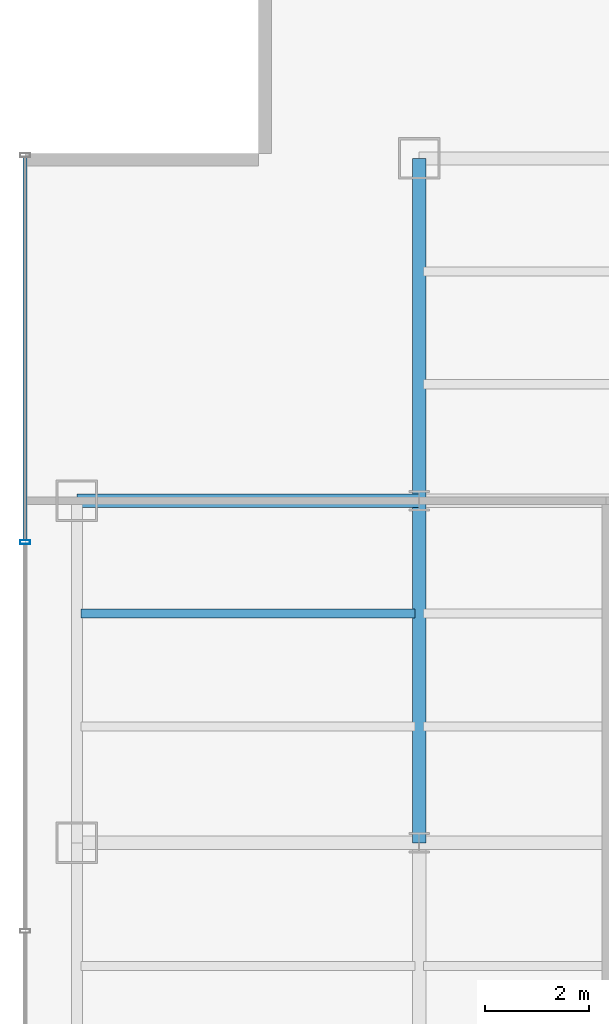
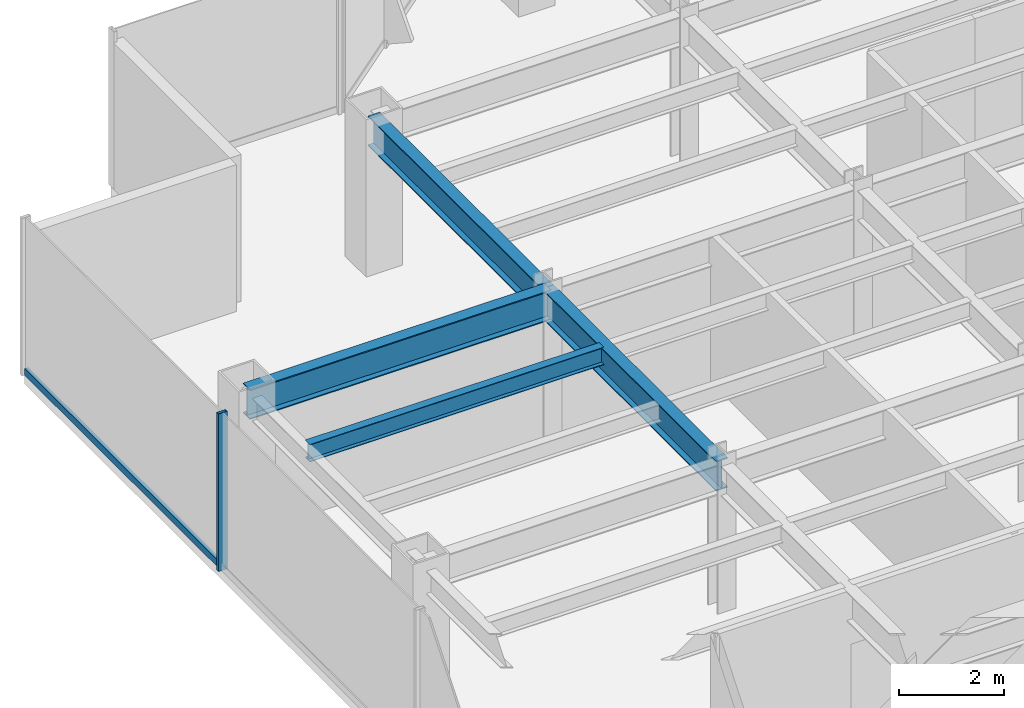
# One storey, part 6 of 26: 4 beams, 2 members, 1 element without a shape of its own.
"""IFC4 building model written with IfcOpenShell, lengths in metres."""

import ifcopenshell
import ifcopenshell.guid

model = None  # the IFC model being written
_history = None  # IfcOwnerHistory: only IFC2X3 demands one
_inside = {}  # id of a spatial element -> (the spatial element, [elements in it])
_under = {}  # id of a project, library or spatial element -> (it, [spatial elements below it])
_declared = {}  # id of a project -> (the project, [libraries it declares])
_typed = {}  # id of a type object -> (the type object, [elements of that type])
_made_of = {}  # id of a material, layer set ... -> (it, [elements and type objects made of it])


def new_model(schema):
    """Start an empty IFC model of exactly this schema.

    Asked for "IFC4X3", IfcOpenShell would pick the latest addendum, in which some entities
    have other attributes; the version numbers below select the first issue.
    IFC2X3 requires an IfcOwnerHistory on every rooted entity: one is made here for all.
    """
    global model, _history
    if schema == "IFC4X3":
        model = ifcopenshell.file(schema_version=(4, 3, 0, 0))
    else:
        model = ifcopenshell.file(schema=schema)
    _inside.clear()
    _under.clear()
    _declared.clear()
    _typed.clear()
    _made_of.clear()
    _history = None
    if model.schema == "IFC2X3":
        org = make("IfcOrganization", Name="unknown")
        user = make(
            "IfcPersonAndOrganization",
            ThePerson=make("IfcPerson", FamilyName="unknown"),
            TheOrganization=org,
        )
        app = make(
            "IfcApplication",
            ApplicationDeveloper=org,
            Version="unknown",
            ApplicationFullName="unknown",
            ApplicationIdentifier="unknown",
        )
        _history = make(
            "IfcOwnerHistory",
            OwningUser=user,
            OwningApplication=app,
            ChangeAction="ADDED",
            CreationDate=0,
        )
    return model


def make(cls, **values):
    """One entity of the class cls with the attributes given. An attribute that is None is left unset."""
    return model.create_entity(
        cls, **{name: value for name, value in values.items() if value is not None}
    )


def rooted(cls, **values):
    """An entity with a GlobalId (a new one), such as an element, a storey or a relation."""
    return make(cls, GlobalId=ifcopenshell.guid.new(), OwnerHistory=_history, **values)


def si_unit(unit_type, name, prefix=None):
    """IfcSIUnit, for example si_unit("LENGTHUNIT", "METRE", prefix="MILLI")."""
    return make("IfcSIUnit", UnitType=unit_type, Prefix=prefix, Name=name)


def derived_unit(unit_type, elements):
    """IfcDerivedUnit: a product of units, each with its exponent."""
    return make(
        "IfcDerivedUnit",
        Elements=[
            make("IfcDerivedUnitElement", Unit=unit, Exponent=power)
            for unit, power in elements
        ],
        UnitType=unit_type,
    )


def assignment(units):
    """IfcUnitAssignment: the units of a project."""
    return None if units is None else make("IfcUnitAssignment", Units=units)


def point(xyz):
    """IfcCartesianPoint."""
    return None if xyz is None else make("IfcCartesianPoint", Coordinates=xyz)


def direction(xyz):
    """IfcDirection."""
    return None if xyz is None else make("IfcDirection", DirectionRatios=xyz)


def frame(location, z_axis=None, x_axis=None):
    """IfcAxis2Placement3D, a coordinate frame: its origin and axes. An axis left out is left unset."""
    return make(
        "IfcAxis2Placement3D",
        Location=point(location),
        Axis=direction(z_axis),
        RefDirection=direction(x_axis),
    )


def frame_2d(location, x_axis=None):
    """IfcAxis2Placement2D, a coordinate frame in the plane: its origin and x axis."""
    return make(
        "IfcAxis2Placement2D", Location=point(location), RefDirection=direction(x_axis)
    )


def origin():
    """The frame at (0, 0, 0) with its axes left unset."""
    return frame((0.0, 0.0, 0.0))


def origin_2d():
    """The frame at (0, 0) in the plane with its x axis left unset."""
    return frame_2d((0.0, 0.0))


def place(relative_to, where):
    """IfcLocalPlacement: puts the frame where relative to a parent placement (None: the world)."""
    return make(
        "IfcLocalPlacement", PlacementRelTo=relative_to, RelativePlacement=where
    )


def context(
    kind, dimensions, precision=None, world=None, true_north=None, identifier=None
):
    """IfcGeometricRepresentationContext, for example the 3D "Model" context."""
    return make(
        "IfcGeometricRepresentationContext",
        ContextIdentifier=identifier,
        ContextType=kind,
        CoordinateSpaceDimension=dimensions,
        Precision=precision,
        WorldCoordinateSystem=world,
        TrueNorth=true_north,
    )


def subcontext(parent, identifier, kind, view, scale=None):
    """IfcGeometricRepresentationSubContext, for example "Body" below "Model"."""
    return make(
        "IfcGeometricRepresentationSubContext",
        ContextIdentifier=identifier,
        ContextType=kind,
        ParentContext=parent,
        TargetScale=scale,
        TargetView=view,
    )


def project(units=None, contexts=None):
    """IfcProject with its units and contexts."""
    return rooted(
        "IfcProject",
        Name="project",
        RepresentationContexts=contexts,
        UnitsInContext=assignment(units),
    )


def spatial(cls, under=None, at=None, **own):
    """A site, building, storey or space (cls), placed at a placement, below another one or the project."""
    s = rooted(cls, ObjectPlacement=at, **own)
    if under is not None:
        _under.setdefault(under.id(), (under, []))[1].append(s)
    return s


def profile(cls, at=None, kind="AREA", **sizes):
    """A parametric profile (cls). Its sizes go by their IFC names, for example OverallWidth=200.0."""
    return make(cls, ProfileType=kind, Position=at, **sizes)


def hollow_rectangle(**sizes):
    """IfcRectangleHollowProfileDef."""
    return profile("IfcRectangleHollowProfileDef", **sizes)


def i_section(**sizes):
    """IfcIShapeProfileDef."""
    return profile("IfcIShapeProfileDef", **sizes)


def extrude(swept, where, along, depth):
    """IfcExtrudedAreaSolid: the profile swept, set in the frame where, extruded along a direction by depth."""
    return make(
        "IfcExtrudedAreaSolid",
        SweptArea=swept,
        Position=where,
        ExtrudedDirection=direction(along),
        Depth=depth,
    )


def shape(context_of_items, identifier, shape_type, items):
    """IfcShapeRepresentation: the items that make up one representation, for example the "Body"."""
    return make(
        "IfcShapeRepresentation",
        ContextOfItems=context_of_items,
        RepresentationIdentifier=identifier,
        RepresentationType=shape_type,
        Items=items,
    )


def source(mapping_origin, context_of_items, identifier, shape_type, items):
    """IfcRepresentationMap: a shape defined once, which mapped items show again and again."""
    return make(
        "IfcRepresentationMap",
        MappingOrigin=mapping_origin,
        MappedRepresentation=shape(context_of_items, identifier, shape_type, items),
    )


def transform(
    local_origin,
    x_axis=None,
    y_axis=None,
    z_axis=None,
    scale=None,
    scale2=None,
    scale3=None,
    uniform=True,
):
    """IfcCartesianTransformationOperator3D, or its non-uniform kind. x_axis, y_axis, z_axis: its Axis1, 2, 3."""
    if uniform:
        return make(
            "IfcCartesianTransformationOperator3D",
            Axis1=direction(x_axis),
            Axis2=direction(y_axis),
            LocalOrigin=point(local_origin),
            Scale=scale,
            Axis3=direction(z_axis),
        )
    return make(
        "IfcCartesianTransformationOperator3DnonUniform",
        Axis1=direction(x_axis),
        Axis2=direction(y_axis),
        LocalOrigin=point(local_origin),
        Scale=scale,
        Axis3=direction(z_axis),
        Scale2=scale2,
        Scale3=scale3,
    )


def mapped(mapping_source, mapping_target):
    """IfcMappedItem: shows the shape of a source again, moved by a transform."""
    return make(
        "IfcMappedItem", MappingSource=mapping_source, MappingTarget=mapping_target
    )


def material(Name=None, Category=None):
    """IfcMaterial."""
    return make("IfcMaterial", Name=Name, Category=Category)


def material_profile(
    of_material, cross_section, Name=None, Category=None, Priority=None
):
    """IfcMaterialProfile: a cross section and its material."""
    return make(
        "IfcMaterialProfile",
        Name=Name,
        Material=of_material,
        Profile=cross_section,
        Priority=Priority,
        Category=Category,
    )


def profile_set(profiles, Name=None, composite=None):
    """IfcMaterialProfileSet."""
    return make(
        "IfcMaterialProfileSet",
        Name=Name,
        MaterialProfiles=profiles,
        CompositeProfile=composite,
    )


def made_of(thing, what):
    """Note that an element or type object is made of a material, layer set ...; save() writes the relation."""
    if what is not None:
        _made_of.setdefault(what.id(), (what, []))[1].append(thing)
    return thing


def type_object(cls, material=None, **own):
    """A type object (cls), such as IfcWallType, which elements share."""
    return made_of(rooted(cls, **own), material)


def element(
    cls,
    number,
    at=None,
    inside=None,
    cuts=None,
    type_object=None,
    material=None,
    context=None,
    identifier="Body",
    shape_type=None,
    held_by="IfcProductDefinitionShape",
    body=None,
    shapes=None,
    **own,
):
    """One element of the class cls, such as IfcWall. Its Tag is "e" and its number.

    at: its placement. inside: the storey or other place that contains it. cuts: it is an
    opening in that element (IfcRelVoidsElement). A single representation is given by context,
    identifier, shape_type and body (its items); several are given by shapes. held_by: the class
    of the entity that holds the representations. save() writes the other relations.
    """
    e = rooted(cls, Tag="e%d" % number, ObjectPlacement=at, **own)
    if body is not None:
        shapes = [shape(context, identifier, shape_type, body)]
    if shapes is not None:
        e.Representation = make(held_by, Representations=shapes)
    if inside is not None:
        _inside.setdefault(inside.id(), (inside, []))[1].append(e)
    if cuts is not None:
        rooted(
            "IfcRelVoidsElement", RelatingBuildingElement=cuts, RelatedOpeningElement=e
        )
    if type_object is not None:
        _typed.setdefault(type_object.id(), (type_object, []))[1].append(e)
    return made_of(e, material)


def aggregate(whole, parts):
    """IfcRelAggregates: a whole, such as a stair, and the parts it consists of."""
    return rooted("IfcRelAggregates", RelatingObject=whole, RelatedObjects=parts)


def save(model, path):
    """Write the relations noted so far, then the file.

    IfcRelAggregates (storeys below a building ...), IfcRelContainedInSpatialStructure (elements
    in a storey), IfcRelDefinesByType, IfcRelAssociatesMaterial and IfcRelDeclares: one each for
    every whole, place, type object, material and project.
    """
    for whole, parts in _under.values():
        aggregate(whole, parts)
    for where, things in _inside.values():
        rooted(
            "IfcRelContainedInSpatialStructure",
            RelatedElements=things,
            RelatingStructure=where,
        )
    for kind, things in _typed.values():
        rooted("IfcRelDefinesByType", RelatedObjects=things, RelatingType=kind)
    for what, things in _made_of.values():
        rooted("IfcRelAssociatesMaterial", RelatedObjects=things, RelatingMaterial=what)
    for by, libraries in _declared.values():
        rooted("IfcRelDeclares", RelatingContext=by, RelatedDefinitions=libraries)
    model.write(path)


model = new_model("IFC4")

# Units and contexts
model_context = context("Model", 3, precision=1e-05, world=origin(), true_north=direction((0.0, 1.0)))
body_context = subcontext(model_context, "Body", "Model", "MODEL_VIEW")
ifc_project = project(units=[si_unit("LENGTHUNIT", "METRE"), si_unit("AREAUNIT", "SQUARE_METRE"), si_unit("VOLUMEUNIT", "CUBIC_METRE"), si_unit("PLANEANGLEUNIT", "RADIAN"), si_unit("MASSUNIT", "GRAM", prefix="KILO"), derived_unit("THERMALTRANSMITTANCEUNIT", [(si_unit("POWERUNIT", "WATT"), 1), (si_unit("LENGTHUNIT", "METRE"), -2), (si_unit("THERMODYNAMICTEMPERATUREUNIT", "KELVIN"), -1)])], contexts=[model_context])

# Site, building, storey
site_placement = place(None, origin())
site = spatial("IfcSite", under=ifc_project, at=site_placement, CompositionType="ELEMENT")
building_placement = place(site_placement, origin())
building = spatial("IfcBuilding", under=site, at=building_placement, Name="Skarnbrae Concourse Arena and Tower", CompositionType="ELEMENT")
storey_placement = place(building_placement, frame((0.0, 0.0, 110.550048828125)))
storey = spatial("IfcBuildingStorey", under=building, at=storey_placement, Name="L27", CompositionType="ELEMENT", Elevation=110.550048828125)

# Beams
ifc_material_1 = material(Name="Steel CSA G40.21 350W", Category="steel")
ifc_material_profile_1 = material_profile(ifc_material_1, i_section(OverallWidth=0.256103515625, OverallDepth=0.693115234375, WebThickness=0.014404296875, FlangeThickness=0.023681640625, at=origin_2d()), Name="W690X170")
ifc_profile_set_1 = profile_set([ifc_material_profile_1], Name="Steel CSA G40.21 350W")
beam_type_1 = type_object("IfcBeamType", Name="BM-GIRD-W690X170", PredefinedType="BEAM", material=ifc_profile_set_1)
shared_shape_1 = source(origin(), body_context, "Body", "SweptSolid", [
    extrude(i_section(OverallWidth=0.256103515625, OverallDepth=0.693115234375, WebThickness=0.014404296875, FlangeThickness=0.023681640625, at=origin_2d()), origin(), (0.0, 0.0, 1.0), 6.60009765625),
])
for number, where, z_axis, x_axis, name in (
    (1, (1.0, 27.800048828125, 3.053466796875), (1.0, 0.0, 0.0), (0.0, 1.0, 0.0), "L27 Primary E-W girder Y27.8-1"),
    (2, (7.60009765625, 21.199951171875, 3.053466796875), (0.0, 1.0, 0.0), (-1.0, 0.0, 0.0), "L27 Primary N-S girder X7.6-2"),
):
    element("IfcBeam", number, at=place(storey_placement, frame(where, z_axis=z_axis, x_axis=x_axis)), inside=storey, type_object=beam_type_1, Name=name, PredefinedType="BEAM", context=body_context, shape_type="MappedRepresentation", body=[
        mapped(shared_shape_1, transform((0.0, 0.0, 0.0))),
    ])
shared_shape_2 = source(origin(), body_context, "Body", "SweptSolid", [
    extrude(i_section(OverallWidth=0.256103515625, OverallDepth=0.693115234375, WebThickness=0.014404296875, FlangeThickness=0.023681640625, at=origin_2d()), origin(), (0.0, 0.0, 1.0), 6.599853515625),
])
beam_1_placement = place(storey_placement, frame((7.60009765625, 27.800048828125, 3.053466796875), z_axis=(0.0, 1.0, 0.0), x_axis=(-1.0, 0.0, 0.0)))
element("IfcBeam", 3, at=beam_1_placement, inside=storey, type_object=beam_type_1, Name="L27 Primary N-S girder X7.6-3", PredefinedType="BEAM", context=body_context, shape_type="MappedRepresentation", body=[
    mapped(shared_shape_2, transform((0.0, 0.0, 0.0))),
])
ifc_material_profile_2 = material_profile(ifc_material_1, i_section(OverallWidth=0.177978515625, OverallDepth=0.406982421875, WebThickness=0.0078125, FlangeThickness=0.0126953125, at=origin_2d()), Name="W410X60")
ifc_profile_set_2 = profile_set([ifc_material_profile_2], Name="Steel CSA G40.21 350W")
beam_type_2 = type_object("IfcBeamType", Name="BM-JOIST-W410X60", PredefinedType="JOIST", material=ifc_profile_set_2)
shared_shape_3 = source(origin(), body_context, "Body", "SweptSolid", [
    extrude(i_section(OverallWidth=0.177978515625, OverallDepth=0.406982421875, WebThickness=0.0078125, FlangeThickness=0.0126953125, at=origin_2d()), origin(), (0.0, 0.0, 1.0), 6.43994140625),
])
beam_2_placement = place(storey_placement, frame((1.080078125, 25.6220703125, 3.196533203125), z_axis=(1.0, 0.0, 0.0), x_axis=(0.0, 1.0, 0.0)))
element("IfcBeam", 4, at=beam_2_placement, inside=storey, type_object=beam_type_2, Name="L27 Secondary floor joist 2.2.1", PredefinedType="JOIST", context=body_context, shape_type="MappedRepresentation", body=[
    mapped(shared_shape_3, transform((0.0, 0.0, 0.0))),
])

# Curtain wall, members
ifc_material_2 = material(Name="Bronze anodised aluminium 6063-T6", Category="aluminium")
curtain_wall_type = type_object("IfcCurtainWallType", Name="CW-SYS-04-MIDZONE", PredefinedType="USERDEFINED", material=ifc_material_2)
curtain_wall_placement = place(storey_placement, origin())
curtain_wall = element("IfcCurtainWall", 5, at=curtain_wall_placement, inside=storey, type_object=curtain_wall_type, Name="L27 Unitised curtain wall CW-L27-E19", ObjectType="UNITISED CURTAIN WALL", PredefinedType="USERDEFINED")
ifc_material_profile_3 = material_profile(ifc_material_2, hollow_rectangle(XDim=0.074951171875, YDim=0.159912109375, WallThickness=0.00439453125, at=origin_2d()), Name="ALU-TRAN-75X160")
ifc_profile_set_3 = profile_set([ifc_material_profile_3], Name="Bronze anodised aluminium 6063-T6")
member_type_1 = type_object("IfcMemberType", Name="CWT-CW-04", PredefinedType="USERDEFINED", material=ifc_profile_set_3)
shared_shape_4 = source(origin(), body_context, "Body", "SweptSolid", [
    extrude(hollow_rectangle(XDim=0.074951171875, YDim=0.159912109375, WallThickness=0.00439453125, at=origin_2d()), origin(), (0.0, 0.0, 1.0), 7.387451171875),
])
member_1_placement = place(storey_placement, frame((0.0, 34.425048828125, 0.079833984375), z_axis=(0.0, -1.0, 0.0), x_axis=(1.0, 0.0, 0.0)))
member_1 = element("IfcMember", 6, at=member_1_placement, type_object=member_type_1, Name="CW-L27-E19 Transom 1", ObjectType="TRANSOM", PredefinedType="USERDEFINED", context=body_context, shape_type="MappedRepresentation", body=[
    mapped(shared_shape_4, transform((0.0, 0.0, 0.0))),
])
ifc_material_profile_4 = material_profile(ifc_material_2, hollow_rectangle(XDim=0.074951171875, YDim=0.195068359375, WallThickness=0.00439453125, at=origin_2d()), Name="ALU-MULL-75X195")
ifc_profile_set_4 = profile_set([ifc_material_profile_4], Name="Bronze anodised aluminium 6063-T6")
member_type_2 = type_object("IfcMemberType", Name="CWM-CW-04", PredefinedType="MULLION", material=ifc_profile_set_4)
shared_shape_5 = source(origin(), body_context, "Body", "SweptSolid", [
    extrude(hollow_rectangle(XDim=0.074951171875, YDim=0.195068359375, WallThickness=0.00439453125, at=origin_2d()), origin(), (0.0, 0.0, 1.0), 3.64990234375),
])
member_2_placement = place(storey_placement, frame((0.0, 27.0, 0.0), z_axis=(0.0, 0.0, 1.0), x_axis=(0.0, -1.0, 0.0)))
member_2 = element("IfcMember", 7, at=member_2_placement, type_object=member_type_2, Name="CW-L27-E19 Mullion 2", PredefinedType="MULLION", context=body_context, shape_type="MappedRepresentation", body=[
    mapped(shared_shape_5, transform((0.0, 0.0, 0.0))),
])
aggregate(curtain_wall, [member_2, member_1])

save(model, "model.ifc")
